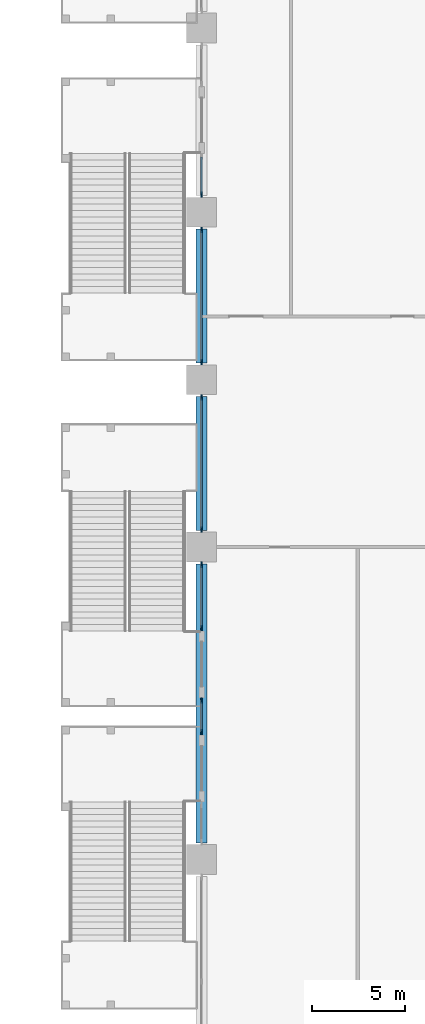
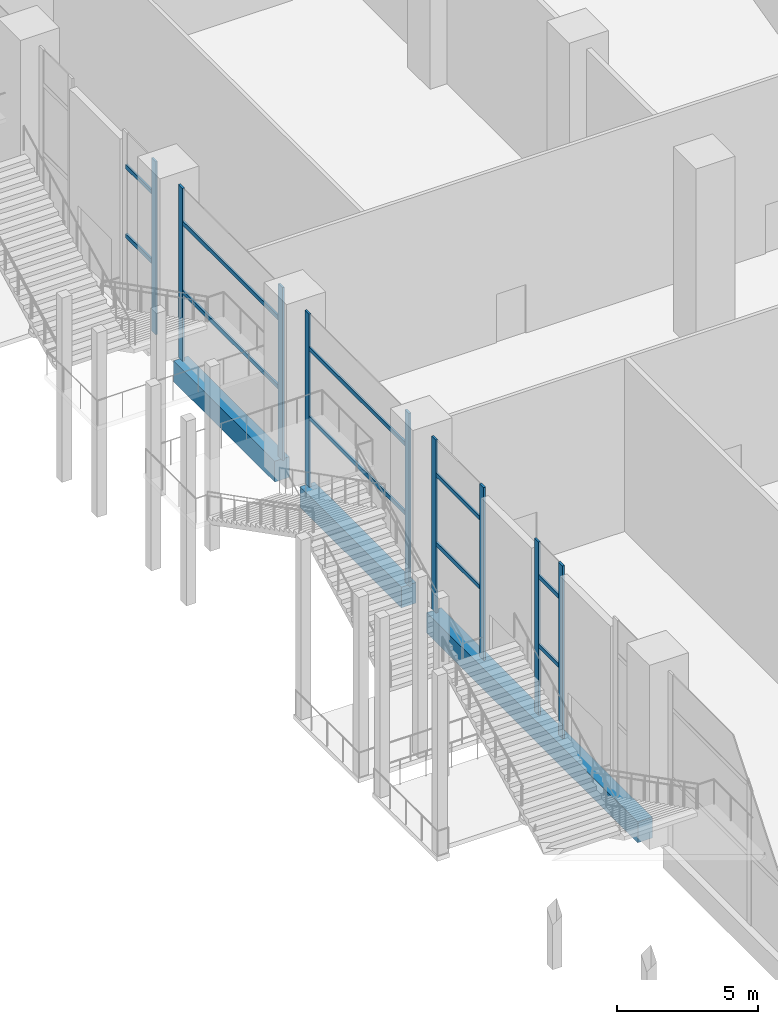
# One storey, part 6 of 52: 19 members, 3 beams, 5 elements without a shape of their own.
"""IFC4 building model written with IfcOpenShell, lengths in metres."""

import ifcopenshell
import ifcopenshell.guid

model = None  # the IFC model being written
_history = None  # IfcOwnerHistory: only IFC2X3 demands one
_inside = {}  # id of a spatial element -> (the spatial element, [elements in it])
_under = {}  # id of a project, library or spatial element -> (it, [spatial elements below it])
_declared = {}  # id of a project -> (the project, [libraries it declares])
_typed = {}  # id of a type object -> (the type object, [elements of that type])
_made_of = {}  # id of a material, layer set ... -> (it, [elements and type objects made of it])


def new_model(schema):
    """Start an empty IFC model of exactly this schema.

    Asked for "IFC4X3", IfcOpenShell would pick the latest addendum, in which some entities
    have other attributes; the version numbers below select the first issue.
    IFC2X3 requires an IfcOwnerHistory on every rooted entity: one is made here for all.
    """
    global model, _history
    if schema == "IFC4X3":
        model = ifcopenshell.file(schema_version=(4, 3, 0, 0))
    else:
        model = ifcopenshell.file(schema=schema)
    _inside.clear()
    _under.clear()
    _declared.clear()
    _typed.clear()
    _made_of.clear()
    _history = None
    if model.schema == "IFC2X3":
        org = make("IfcOrganization", Name="unknown")
        user = make(
            "IfcPersonAndOrganization",
            ThePerson=make("IfcPerson", FamilyName="unknown"),
            TheOrganization=org,
        )
        app = make(
            "IfcApplication",
            ApplicationDeveloper=org,
            Version="unknown",
            ApplicationFullName="unknown",
            ApplicationIdentifier="unknown",
        )
        _history = make(
            "IfcOwnerHistory",
            OwningUser=user,
            OwningApplication=app,
            ChangeAction="ADDED",
            CreationDate=0,
        )
    return model


def make(cls, **values):
    """One entity of the class cls with the attributes given. An attribute that is None is left unset."""
    return model.create_entity(
        cls, **{name: value for name, value in values.items() if value is not None}
    )


def rooted(cls, **values):
    """An entity with a GlobalId (a new one), such as an element, a storey or a relation."""
    return make(cls, GlobalId=ifcopenshell.guid.new(), OwnerHistory=_history, **values)


def si_unit(unit_type, name, prefix=None):
    """IfcSIUnit, for example si_unit("LENGTHUNIT", "METRE", prefix="MILLI")."""
    return make("IfcSIUnit", UnitType=unit_type, Prefix=prefix, Name=name)


def assignment(units):
    """IfcUnitAssignment: the units of a project."""
    return None if units is None else make("IfcUnitAssignment", Units=units)


def point(xyz):
    """IfcCartesianPoint."""
    return None if xyz is None else make("IfcCartesianPoint", Coordinates=xyz)


def direction(xyz):
    """IfcDirection."""
    return None if xyz is None else make("IfcDirection", DirectionRatios=xyz)


def frame(location, z_axis=None, x_axis=None):
    """IfcAxis2Placement3D, a coordinate frame: its origin and axes. An axis left out is left unset."""
    return make(
        "IfcAxis2Placement3D",
        Location=point(location),
        Axis=direction(z_axis),
        RefDirection=direction(x_axis),
    )


def frame_2d(location, x_axis=None):
    """IfcAxis2Placement2D, a coordinate frame in the plane: its origin and x axis."""
    return make(
        "IfcAxis2Placement2D", Location=point(location), RefDirection=direction(x_axis)
    )


def origin():
    """The frame at (0, 0, 0) with its axes left unset."""
    return frame((0.0, 0.0, 0.0))


def origin_2d():
    """The frame at (0, 0) in the plane with its x axis left unset."""
    return frame_2d((0.0, 0.0))


def place(relative_to, where):
    """IfcLocalPlacement: puts the frame where relative to a parent placement (None: the world)."""
    return make(
        "IfcLocalPlacement", PlacementRelTo=relative_to, RelativePlacement=where
    )


def context(
    kind, dimensions, precision=None, world=None, true_north=None, identifier=None
):
    """IfcGeometricRepresentationContext, for example the 3D "Model" context."""
    return make(
        "IfcGeometricRepresentationContext",
        ContextIdentifier=identifier,
        ContextType=kind,
        CoordinateSpaceDimension=dimensions,
        Precision=precision,
        WorldCoordinateSystem=world,
        TrueNorth=true_north,
    )


def subcontext(parent, identifier, kind, view, scale=None):
    """IfcGeometricRepresentationSubContext, for example "Body" below "Model"."""
    return make(
        "IfcGeometricRepresentationSubContext",
        ContextIdentifier=identifier,
        ContextType=kind,
        ParentContext=parent,
        TargetScale=scale,
        TargetView=view,
    )


def project(units=None, contexts=None):
    """IfcProject with its units and contexts."""
    return rooted(
        "IfcProject",
        Name="project",
        RepresentationContexts=contexts,
        UnitsInContext=assignment(units),
    )


def spatial(cls, under=None, at=None, **own):
    """A site, building, storey or space (cls), placed at a placement, below another one or the project."""
    s = rooted(cls, ObjectPlacement=at, **own)
    if under is not None:
        _under.setdefault(under.id(), (under, []))[1].append(s)
    return s


def profile(cls, at=None, kind="AREA", **sizes):
    """A parametric profile (cls). Its sizes go by their IFC names, for example OverallWidth=200.0."""
    return make(cls, ProfileType=kind, Position=at, **sizes)


def rectangle(**sizes):
    """IfcRectangleProfileDef."""
    return profile("IfcRectangleProfileDef", **sizes)


def extrude(swept, where, along, depth):
    """IfcExtrudedAreaSolid: the profile swept, set in the frame where, extruded along a direction by depth."""
    return make(
        "IfcExtrudedAreaSolid",
        SweptArea=swept,
        Position=where,
        ExtrudedDirection=direction(along),
        Depth=depth,
    )


def shape(context_of_items, identifier, shape_type, items):
    """IfcShapeRepresentation: the items that make up one representation, for example the "Body"."""
    return make(
        "IfcShapeRepresentation",
        ContextOfItems=context_of_items,
        RepresentationIdentifier=identifier,
        RepresentationType=shape_type,
        Items=items,
    )


def material(Name=None, Category=None):
    """IfcMaterial."""
    return make("IfcMaterial", Name=Name, Category=Category)


def material_profile(
    of_material, cross_section, Name=None, Category=None, Priority=None
):
    """IfcMaterialProfile: a cross section and its material."""
    return make(
        "IfcMaterialProfile",
        Name=Name,
        Material=of_material,
        Profile=cross_section,
        Priority=Priority,
        Category=Category,
    )


def profile_set(profiles, Name=None, composite=None):
    """IfcMaterialProfileSet."""
    return make(
        "IfcMaterialProfileSet",
        Name=Name,
        MaterialProfiles=profiles,
        CompositeProfile=composite,
    )


def made_of(thing, what):
    """Note that an element or type object is made of a material, layer set ...; save() writes the relation."""
    if what is not None:
        _made_of.setdefault(what.id(), (what, []))[1].append(thing)
    return thing


def type_object(cls, material=None, **own):
    """A type object (cls), such as IfcWallType, which elements share."""
    return made_of(rooted(cls, **own), material)


def element(
    cls,
    number,
    at=None,
    inside=None,
    cuts=None,
    type_object=None,
    material=None,
    context=None,
    identifier="Body",
    shape_type=None,
    held_by="IfcProductDefinitionShape",
    body=None,
    shapes=None,
    **own,
):
    """One element of the class cls, such as IfcWall. Its Tag is "e" and its number.

    at: its placement. inside: the storey or other place that contains it. cuts: it is an
    opening in that element (IfcRelVoidsElement). A single representation is given by context,
    identifier, shape_type and body (its items); several are given by shapes. held_by: the class
    of the entity that holds the representations. save() writes the other relations.
    """
    e = rooted(cls, Tag="e%d" % number, ObjectPlacement=at, **own)
    if body is not None:
        shapes = [shape(context, identifier, shape_type, body)]
    if shapes is not None:
        e.Representation = make(held_by, Representations=shapes)
    if inside is not None:
        _inside.setdefault(inside.id(), (inside, []))[1].append(e)
    if cuts is not None:
        rooted(
            "IfcRelVoidsElement", RelatingBuildingElement=cuts, RelatedOpeningElement=e
        )
    if type_object is not None:
        _typed.setdefault(type_object.id(), (type_object, []))[1].append(e)
    return made_of(e, material)


def aggregate(whole, parts):
    """IfcRelAggregates: a whole, such as a stair, and the parts it consists of."""
    return rooted("IfcRelAggregates", RelatingObject=whole, RelatedObjects=parts)


def save(model, path):
    """Write the relations noted so far, then the file.

    IfcRelAggregates (storeys below a building ...), IfcRelContainedInSpatialStructure (elements
    in a storey), IfcRelDefinesByType, IfcRelAssociatesMaterial and IfcRelDeclares: one each for
    every whole, place, type object, material and project.
    """
    for whole, parts in _under.values():
        aggregate(whole, parts)
    for where, things in _inside.values():
        rooted(
            "IfcRelContainedInSpatialStructure",
            RelatedElements=things,
            RelatingStructure=where,
        )
    for kind, things in _typed.values():
        rooted("IfcRelDefinesByType", RelatedObjects=things, RelatingType=kind)
    for what, things in _made_of.values():
        rooted("IfcRelAssociatesMaterial", RelatedObjects=things, RelatingMaterial=what)
    for by, libraries in _declared.values():
        rooted("IfcRelDeclares", RelatingContext=by, RelatedDefinitions=libraries)
    model.write(path)


model = new_model("IFC4")

# Units and contexts
model_context = context("Model", 3, precision=1e-05, world=origin(), true_north=direction((0.0, 1.0)))
body_context = subcontext(model_context, "Body", "Model", "MODEL_VIEW")
ifc_project = project(units=[si_unit("LENGTHUNIT", "METRE"), si_unit("AREAUNIT", "SQUARE_METRE"), si_unit("VOLUMEUNIT", "CUBIC_METRE"), si_unit("PLANEANGLEUNIT", "RADIAN"), si_unit("MASSUNIT", "GRAM", prefix="KILO")], contexts=[model_context])

# Site, building, storey
site_placement = place(None, origin())
site = spatial("IfcSite", under=ifc_project, at=site_placement, CompositionType="ELEMENT")
building_placement = place(site_placement, origin())
building = spatial("IfcBuilding", under=site, at=building_placement, Name="Candeia Pilgrim Tower and Theatre", CompositionType="ELEMENT")
storey_placement = place(building_placement, frame((0.0, 0.0, 9.0)))
storey = spatial("IfcBuildingStorey", under=building, at=storey_placement, Name="L01", CompositionType="ELEMENT", Elevation=9.0)

# Curtain wall, members
ifc_material_1 = material(Name="Aluminium framed podium glazing", Category="aluminium")
curtain_wall_type = type_object("IfcCurtainWallType", Name="CW-P curtain wall", PredefinedType="NOTDEFINED", material=ifc_material_1)
curtain_wall_1_placement = place(storey_placement, origin())
curtain_wall_1 = element("IfcCurtainWall", 1, at=curtain_wall_1_placement, inside=storey, type_object=curtain_wall_type, Name="Curtain wall CW-P L01.011", PredefinedType="NOTDEFINED")
ifc_material_2 = material(Name="Anodised aluminium", Category="aluminium")
ifc_material_profile_1 = material_profile(ifc_material_2, rectangle(XDim=0.080078125, YDim=0.300048828125, at=origin_2d()))
ifc_profile_set_1 = profile_set([ifc_material_profile_1], Name="Anodised aluminium")
member_type_1 = type_object("IfcMemberType", Name="CW-P mullion 80x300", PredefinedType="MULLION", material=ifc_profile_set_1)
member_1_placement = place(storey_placement, frame((58.800048828125, 88.050048828125, 0.0), z_axis=(0.0, 0.0, 1.0), x_axis=(-1.0, 0.0, 0.0)))
member_1 = element("IfcMember", 2, at=member_1_placement, type_object=member_type_1, Name="CW-P mullion 1", PredefinedType="MULLION", context=body_context, shape_type="SweptSolid", body=[
    extrude(rectangle(XDim=0.080078125, YDim=0.300048828125, at=origin_2d()), origin(), (0.0, 0.0, 1.0), 7.5),
])
member_2_placement = place(storey_placement, frame((58.800048828125, 89.75, 0.0), z_axis=(0.0, 0.0, 1.0), x_axis=(-1.0, 0.0, 0.0)))
member_2 = element("IfcMember", 3, at=member_2_placement, type_object=member_type_1, Name="CW-P mullion 2", PredefinedType="MULLION", context=body_context, shape_type="SweptSolid", body=[
    extrude(rectangle(XDim=0.080078125, YDim=0.300048828125, at=origin_2d()), origin(), (0.0, 0.0, 1.0), 7.5),
])

curtain_wall_2_placement = place(storey_placement, origin())
curtain_wall_2 = element("IfcCurtainWall", 4, at=curtain_wall_2_placement, inside=storey, type_object=curtain_wall_type, Name="Curtain wall CW-P L01.012", PredefinedType="NOTDEFINED")
member_3_placement = place(storey_placement, frame((58.800048828125, 93.64990234375, 0.0), z_axis=(0.0, 0.0, 1.0), x_axis=(-1.0, 0.0, 0.0)))
member_3 = element("IfcMember", 5, at=member_3_placement, type_object=member_type_1, Name="CW-P mullion 1", PredefinedType="MULLION", context=body_context, shape_type="SweptSolid", body=[
    extrude(rectangle(XDim=0.080078125, YDim=0.300048828125, at=origin_2d()), origin(), (0.0, 0.0, 1.0), 7.5),
])
member_4_placement = place(storey_placement, frame((58.800048828125, 97.050048828125, 0.0), z_axis=(0.0, 0.0, 1.0), x_axis=(-1.0, 0.0, 0.0)))
member_4 = element("IfcMember", 6, at=member_4_placement, type_object=member_type_1, Name="CW-P mullion 2", PredefinedType="MULLION", context=body_context, shape_type="SweptSolid", body=[
    extrude(rectangle(XDim=0.080078125, YDim=0.300048828125, at=origin_2d()), origin(), (0.0, 0.0, 1.0), 7.5),
])

curtain_wall_3_placement = place(storey_placement, origin())
curtain_wall_3 = element("IfcCurtainWall", 7, at=curtain_wall_3_placement, inside=storey, type_object=curtain_wall_type, Name="Curtain wall CW-P L01.020", PredefinedType="NOTDEFINED")
member_5_placement = place(storey_placement, frame((58.800048828125, 98.949951171875, 0.0), z_axis=(0.0, 0.0, 1.0), x_axis=(-1.0, 0.0, 0.0)))
member_5 = element("IfcMember", 8, at=member_5_placement, type_object=member_type_1, Name="CW-P mullion 1", PredefinedType="MULLION", context=body_context, shape_type="SweptSolid", body=[
    extrude(rectangle(XDim=0.080078125, YDim=0.300048828125, at=origin_2d()), origin(), (0.0, 0.0, 1.0), 7.5),
])
member_6_placement = place(storey_placement, frame((58.800048828125, 106.050048828125, 0.0), z_axis=(0.0, 0.0, 1.0), x_axis=(-1.0, 0.0, 0.0)))
member_6 = element("IfcMember", 9, at=member_6_placement, type_object=member_type_1, Name="CW-P mullion 2", PredefinedType="MULLION", context=body_context, shape_type="SweptSolid", body=[
    extrude(rectangle(XDim=0.080078125, YDim=0.300048828125, at=origin_2d()), origin(), (0.0, 0.0, 1.0), 7.5),
])

curtain_wall_4_placement = place(storey_placement, origin())
curtain_wall_4 = element("IfcCurtainWall", 10, at=curtain_wall_4_placement, inside=storey, type_object=curtain_wall_type, Name="Curtain wall CW-P L01.030", PredefinedType="NOTDEFINED")
member_7_placement = place(storey_placement, frame((58.800048828125, 107.949951171875, 0.0), z_axis=(0.0, 0.0, 1.0), x_axis=(-1.0, 0.0, 0.0)))
member_7 = element("IfcMember", 11, at=member_7_placement, type_object=member_type_1, Name="CW-P mullion 1", PredefinedType="MULLION", context=body_context, shape_type="SweptSolid", body=[
    extrude(rectangle(XDim=0.080078125, YDim=0.300048828125, at=origin_2d()), origin(), (0.0, 0.0, 1.0), 7.5),
])
member_8_placement = place(storey_placement, frame((58.800048828125, 115.050048828125, 0.0), z_axis=(0.0, 0.0, 1.0), x_axis=(-1.0, 0.0, 0.0)))
member_8 = element("IfcMember", 12, at=member_8_placement, type_object=member_type_1, Name="CW-P mullion 2", PredefinedType="MULLION", context=body_context, shape_type="SweptSolid", body=[
    extrude(rectangle(XDim=0.080078125, YDim=0.300048828125, at=origin_2d()), origin(), (0.0, 0.0, 1.0), 7.5),
])

# Curtain wall, member
curtain_wall_5_placement = place(storey_placement, origin())
curtain_wall_5 = element("IfcCurtainWall", 13, at=curtain_wall_5_placement, inside=storey, type_object=curtain_wall_type, Name="Curtain wall CW-P L01.040", PredefinedType="NOTDEFINED")
member_9_placement = place(storey_placement, frame((58.800048828125, 116.949951171875, 0.0), z_axis=(0.0, 0.0, 1.0), x_axis=(-1.0, 0.0, 0.0)))
member_9 = element("IfcMember", 14, at=member_9_placement, type_object=member_type_1, Name="CW-P mullion 1", PredefinedType="MULLION", context=body_context, shape_type="SweptSolid", body=[
    extrude(rectangle(XDim=0.080078125, YDim=0.300048828125, at=origin_2d()), origin(), (0.0, 0.0, 1.0), 7.5),
])

# Member
ifc_material_profile_2 = material_profile(ifc_material_2, rectangle(XDim=0.080078125, YDim=0.179931640625, at=origin_2d()))
ifc_profile_set_2 = profile_set([ifc_material_profile_2], Name="Anodised aluminium")
member_type_2 = type_object("IfcMemberType", Name="CW-P transom 80x180", PredefinedType="USERDEFINED", material=ifc_profile_set_2)
member_10_placement = place(storey_placement, frame((58.800048828125, 88.090087890625, 3.0), z_axis=(0.0, 1.0, 0.0), x_axis=(-1.0, 0.0, 0.0)))
member_10 = element("IfcMember", 15, at=member_10_placement, type_object=member_type_2, Name="CW-P transom 1.1", ObjectType="TRANSOM", PredefinedType="USERDEFINED", context=body_context, shape_type="SweptSolid", body=[
    extrude(rectangle(XDim=0.080078125, YDim=0.179931640625, at=origin_2d()), origin(), (0.0, 0.0, 1.0), 1.619873046875),
])

member_11_placement = place(storey_placement, frame((58.800048828125, 88.090087890625, 6.0), z_axis=(0.0, 1.0, 0.0), x_axis=(-1.0, 0.0, 0.0)))
member_11 = element("IfcMember", 16, at=member_11_placement, type_object=member_type_2, Name="CW-P transom 1.2", ObjectType="TRANSOM", PredefinedType="USERDEFINED", context=body_context, shape_type="SweptSolid", body=[
    extrude(rectangle(XDim=0.080078125, YDim=0.179931640625, at=origin_2d()), origin(), (0.0, 0.0, 1.0), 1.619873046875),
])

aggregate(curtain_wall_1, [member_1, member_2, member_10, member_11])

member_12_placement = place(storey_placement, frame((58.800048828125, 93.68994140625, 3.0), z_axis=(0.0, 1.0, 0.0), x_axis=(-1.0, 0.0, 0.0)))
member_12 = element("IfcMember", 17, at=member_12_placement, type_object=member_type_2, Name="CW-P transom 1.1", ObjectType="TRANSOM", PredefinedType="USERDEFINED", context=body_context, shape_type="SweptSolid", body=[
    extrude(rectangle(XDim=0.080078125, YDim=0.179931640625, at=origin_2d()), origin(), (0.0, 0.0, 1.0), 3.320068359375),
])

member_13_placement = place(storey_placement, frame((58.800048828125, 93.68994140625, 6.0), z_axis=(0.0, 1.0, 0.0), x_axis=(-1.0, 0.0, 0.0)))
member_13 = element("IfcMember", 18, at=member_13_placement, type_object=member_type_2, Name="CW-P transom 1.2", ObjectType="TRANSOM", PredefinedType="USERDEFINED", context=body_context, shape_type="SweptSolid", body=[
    extrude(rectangle(XDim=0.080078125, YDim=0.179931640625, at=origin_2d()), origin(), (0.0, 0.0, 1.0), 3.320068359375),
])

aggregate(curtain_wall_2, [member_3, member_4, member_12, member_13])

member_14_placement = place(storey_placement, frame((58.800048828125, 98.989990234375, 3.0), z_axis=(0.0, 1.0, 0.0), x_axis=(-1.0, 0.0, 0.0)))
member_14 = element("IfcMember", 19, at=member_14_placement, type_object=member_type_2, Name="CW-P transom 1.1", ObjectType="TRANSOM", PredefinedType="USERDEFINED", context=body_context, shape_type="SweptSolid", body=[
    extrude(rectangle(XDim=0.080078125, YDim=0.179931640625, at=origin_2d()), origin(), (0.0, 0.0, 1.0), 7.02001953125),
])

member_15_placement = place(storey_placement, frame((58.800048828125, 98.989990234375, 6.0), z_axis=(0.0, 1.0, 0.0), x_axis=(-1.0, 0.0, 0.0)))
member_15 = element("IfcMember", 20, at=member_15_placement, type_object=member_type_2, Name="CW-P transom 1.2", ObjectType="TRANSOM", PredefinedType="USERDEFINED", context=body_context, shape_type="SweptSolid", body=[
    extrude(rectangle(XDim=0.080078125, YDim=0.179931640625, at=origin_2d()), origin(), (0.0, 0.0, 1.0), 7.02001953125),
])

aggregate(curtain_wall_3, [member_5, member_6, member_14, member_15])

member_16_placement = place(storey_placement, frame((58.800048828125, 107.989990234375, 3.0), z_axis=(0.0, 1.0, 0.0), x_axis=(-1.0, 0.0, 0.0)))
member_16 = element("IfcMember", 21, at=member_16_placement, type_object=member_type_2, Name="CW-P transom 1.1", ObjectType="TRANSOM", PredefinedType="USERDEFINED", context=body_context, shape_type="SweptSolid", body=[
    extrude(rectangle(XDim=0.080078125, YDim=0.179931640625, at=origin_2d()), origin(), (0.0, 0.0, 1.0), 7.02001953125),
])

member_17_placement = place(storey_placement, frame((58.800048828125, 107.989990234375, 6.0), z_axis=(0.0, 1.0, 0.0), x_axis=(-1.0, 0.0, 0.0)))
member_17 = element("IfcMember", 22, at=member_17_placement, type_object=member_type_2, Name="CW-P transom 1.2", ObjectType="TRANSOM", PredefinedType="USERDEFINED", context=body_context, shape_type="SweptSolid", body=[
    extrude(rectangle(XDim=0.080078125, YDim=0.179931640625, at=origin_2d()), origin(), (0.0, 0.0, 1.0), 7.02001953125),
])

aggregate(curtain_wall_4, [member_7, member_8, member_16, member_17])

member_18_placement = place(storey_placement, frame((58.800048828125, 116.989990234375, 3.0), z_axis=(0.0, 1.0, 0.0), x_axis=(-1.0, 0.0, 0.0)))
member_18 = element("IfcMember", 23, at=member_18_placement, type_object=member_type_2, Name="CW-P transom 1.1", ObjectType="TRANSOM", PredefinedType="USERDEFINED", context=body_context, shape_type="SweptSolid", body=[
    extrude(rectangle(XDim=0.080078125, YDim=0.179931640625, at=origin_2d()), origin(), (0.0, 0.0, 1.0), 1.969970703125),
])

member_19_placement = place(storey_placement, frame((58.800048828125, 116.989990234375, 6.0), z_axis=(0.0, 1.0, 0.0), x_axis=(-1.0, 0.0, 0.0)))
member_19 = element("IfcMember", 24, at=member_19_placement, type_object=member_type_2, Name="CW-P transom 1.2", ObjectType="TRANSOM", PredefinedType="USERDEFINED", context=body_context, shape_type="SweptSolid", body=[
    extrude(rectangle(XDim=0.080078125, YDim=0.179931640625, at=origin_2d()), origin(), (0.0, 0.0, 1.0), 1.969970703125),
])

aggregate(curtain_wall_5, [member_9, member_18, member_19])

# Beams
ifc_material_3 = material(Name="Concrete C80/95", Category="concrete")
ifc_material_profile_3 = material_profile(ifc_material_3, rectangle(XDim=0.60009765625, YDim=0.89990234375, at=origin_2d()))
ifc_profile_set_3 = profile_set([ifc_material_profile_3], Name="Concrete C80/95")
beam_type = type_object("IfcBeamType", Name="RC 600x900 C80/95", PredefinedType="BEAM", material=ifc_profile_set_3)
for number, where, z_axis, x_axis, name in (
    (25, (58.800048828125, 115.10009765625, -0.449951171875), (0.0, -1.0, 0.0), (1.0, 0.0, 0.0), "Spandrel beam L01-19"),
    (26, (58.800048828125, 106.10009765625, -0.449951171875), (0.0, -1.0, 0.0), (1.0, 0.0, 0.0), "Spandrel beam L01-20"),
):
    element("IfcBeam", number, at=place(storey_placement, frame(where, z_axis=z_axis, x_axis=x_axis)), inside=storey, type_object=beam_type, Name=name, PredefinedType="BEAM", context=body_context, shape_type="SweptSolid", body=[
        extrude(rectangle(XDim=0.60009765625, YDim=0.89990234375, at=origin_2d()), origin(), (0.0, 0.0, 1.0), 7.2001953125),
    ])
beam_placement = place(storey_placement, frame((58.800048828125, 97.10009765625, -0.449951171875), z_axis=(0.0, -1.0, 0.0), x_axis=(1.0, 0.0, 0.0)))
element("IfcBeam", 27, at=beam_placement, inside=storey, type_object=beam_type, Name="Spandrel beam L01-21", PredefinedType="BEAM", context=body_context, shape_type="SweptSolid", body=[
    extrude(rectangle(XDim=0.60009765625, YDim=0.89990234375, at=origin_2d()), origin(), (0.0, 0.0, 1.0), 15.0),
])

save(model, "model.ifc")
